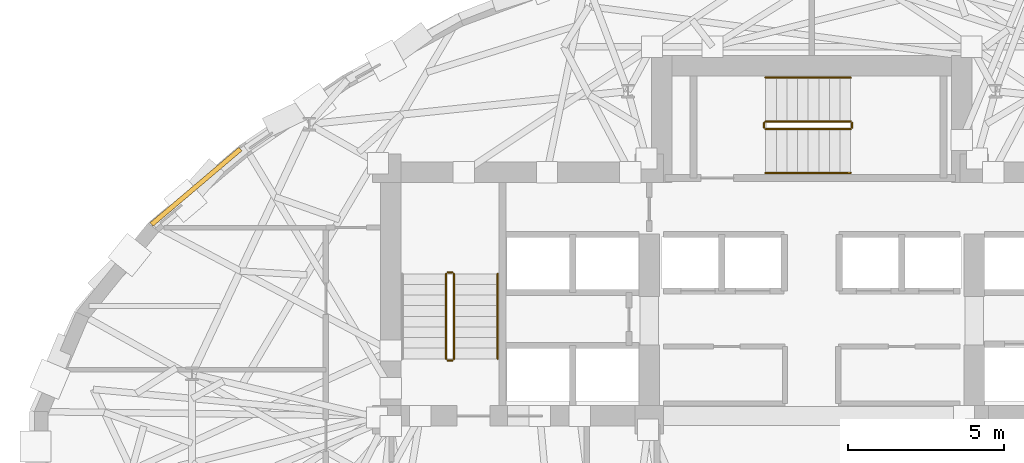
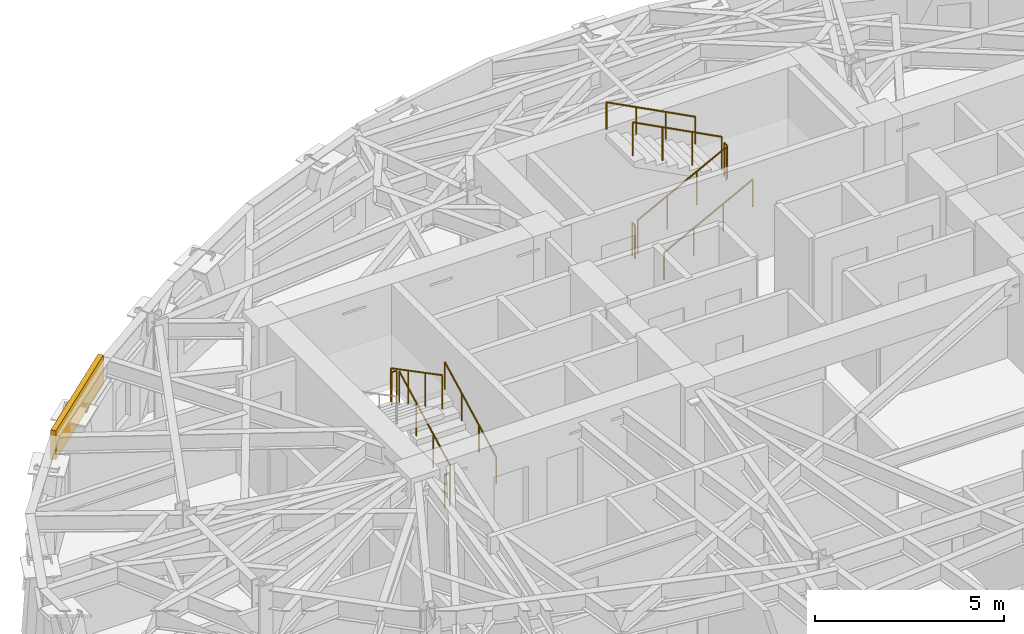
# One storey, part 12 of 14: 11 railings, 1 covering.
"""IFC4 building model written with IfcOpenShell, lengths in metres."""

from ifc_helpers import new_model, si_unit, direction, frame, origin, origin_2d, place, context, subcontext, project, spatial, rectangle, circle, extrude, material, layer, layer_set, type_object, element, save


model = new_model("IFC4")

# Units and contexts
model_context = context("Model", 3, precision=1e-05, world=origin(), true_north=direction((0.0, 1.0)))
body_context = subcontext(model_context, "Body", "Model", "MODEL_VIEW")
ifc_project = project(units=[si_unit("LENGTHUNIT", "METRE"), si_unit("AREAUNIT", "SQUARE_METRE"), si_unit("VOLUMEUNIT", "CUBIC_METRE"), si_unit("PLANEANGLEUNIT", "RADIAN"), si_unit("MASSUNIT", "GRAM", prefix="KILO")], contexts=[model_context])

# Site, building, storey
site_placement = place(None, origin())
site = spatial("IfcSite", under=ifc_project, at=site_placement, CompositionType="ELEMENT")
building_placement = place(site_placement, origin())
building = spatial("IfcBuilding", under=site, at=building_placement, Name="Keldmark Tower", CompositionType="ELEMENT")
storey_placement = place(building_placement, frame((0.0, 0.0, 179.0)))
storey = spatial("IfcBuildingStorey", under=building, at=storey_placement, Name="L49", CompositionType="ELEMENT", Elevation=179.0)

# Covering
ifc_material_1 = material(Name="Honed Kasota Buff Dolomitic Limestone", Category="masonry")
ifc_layer = layer(ifc_material_1, 0.074951171875)
ifc_layer_set = layer_set([ifc_layer], Name="Honed Kasota Buff Dolomitic Limestone")
covering_type = type_object("IfcCoveringType", Name="Kasota Buff Limestone Spandrel Cladding Band", PredefinedType="CLADDING", material=ifc_layer_set)
covering_placement = place(storey_placement, frame((-19.70361328125, 8.857421875, 2.239013671875), z_axis=(0.0, 0.0, 1.0), x_axis=(-0.762510266373, -0.646976115229, 0.0)))
element("IfcCovering", 1, at=covering_placement, inside=storey, type_object=covering_type, Name="L49 Kasota Limestone Spandrel Band 13", PredefinedType="CLADDING", context=body_context, shape_type="SweptSolid", body=[
    extrude(rectangle(XDim=3.726806640625, YDim=0.14990234375, at=origin_2d()), origin(), (0.0, 0.0, 1.0), 0.94091796875),
])

# Railings
ifc_material_2 = material(Name="Painted Steel ASTM A500 Grade B", Category="steel")
railing_type_1 = type_object("IfcRailingType", Name="Painted Steel Stair Well Guard 1100 mm", PredefinedType="GUARDRAIL", material=ifc_material_2)
railing_1_placement = place(storey_placement, frame((-11.449951171875, 3.35009765625, 0.177734375)))
element("IfcRailing", 2, at=railing_1_placement, inside=storey, type_object=railing_type_1, Name="L49 ST1 stair guard 1", PredefinedType="GUARDRAIL", context=body_context, shape_type="SweptSolid", body=[
    extrude(circle(Radius=0.02392578125, at=origin_2d()), frame((0.0, 0.0, 1.076171875), z_axis=(0.0, 0.886150474775, 0.463397600399), x_axis=(-1.0, 0.0, 0.0)), (0.0, 0.0, 1.0), 3.0693359375),
    extrude(circle(Radius=0.02099609375, at=origin_2d()), origin(), (0.0, 0.0, 1.0), 1.052001953125),
    extrude(circle(Radius=0.02099609375, at=origin_2d()), frame((0.0, 0.90673828125, 0.47412109375)), (0.0, 0.0, 1.0), 1.052001953125),
    extrude(circle(Radius=0.02099609375, at=origin_2d()), frame((0.0, 1.813232421875, 0.9482421875)), (0.0, 0.0, 1.0), 1.052001953125),
    extrude(circle(Radius=0.02099609375, at=origin_2d()), frame((0.0, 2.719970703125, 1.42236328125)), (0.0, 0.0, 1.0), 1.052001953125),
])
railing_2_placement = place(storey_placement, frame((-11.5, 6.1201171875, 1.60009765625)))
element("IfcRailing", 3, at=railing_2_placement, inside=storey, type_object=railing_type_1, Name="L49 ST1 stair guard 2", PredefinedType="GUARDRAIL", context=body_context, shape_type="SweptSolid", body=[
    extrude(circle(Radius=0.02392578125, at=origin_2d()), frame((0.0, 0.0, 1.076171875), z_axis=(-1.0, 0.0, 0.0), x_axis=(0.0, -1.0, 0.0)), (0.0, 0.0, 1.0), 0.14990234375),
    extrude(circle(Radius=0.02099609375, at=origin_2d()), origin(), (0.0, 0.0, 1.0), 1.052001953125),
    extrude(circle(Radius=0.02099609375, at=origin_2d()), frame((-0.14990234375, 0.0, 0.0)), (0.0, 0.0, 1.0), 1.052001953125),
])
railing_3_placement = place(storey_placement, frame((-11.699951171875, 6.070068359375, 1.77783203125)))
element("IfcRailing", 4, at=railing_3_placement, inside=storey, type_object=railing_type_1, Name="L49 ST1 stair guard 3", PredefinedType="GUARDRAIL", context=body_context, shape_type="SweptSolid", body=[
    extrude(circle(Radius=0.02392578125, at=origin_2d()), frame((0.0, 0.0, 1.076171875), z_axis=(0.0, -0.886183135912, 0.463335137482), x_axis=(1.0, 0.0, 0.0)), (0.0, 0.0, 1.0), 3.0693359375),
    extrude(circle(Radius=0.02099609375, at=origin_2d()), origin(), (0.0, 0.0, 1.0), 1.052001953125),
    extrude(circle(Radius=0.02099609375, at=origin_2d()), frame((0.0, -0.90673828125, 0.47412109375)), (0.0, 0.0, 1.0), 1.052001953125),
    extrude(circle(Radius=0.02099609375, at=origin_2d()), frame((0.0, -1.813232421875, 0.947998046875)), (0.0, 0.0, 1.0), 1.052001953125),
    extrude(circle(Radius=0.02099609375, at=origin_2d()), frame((0.0, -2.719970703125, 1.422119140625)), (0.0, 0.0, 1.0), 1.052001953125),
])
railing_4_placement = place(storey_placement, frame((-11.5, 3.300048828125, 0.0)))
element("IfcRailing", 5, at=railing_4_placement, inside=storey, type_object=railing_type_1, Name="L49 ST1 stair guard 4", PredefinedType="GUARDRAIL", context=body_context, shape_type="SweptSolid", body=[
    extrude(circle(Radius=0.02392578125, at=origin_2d()), frame((0.0, 0.0, 1.076171875), z_axis=(-1.0, 0.0, 0.0), x_axis=(0.0, -1.0, 0.0)), (0.0, 0.0, 1.0), 0.14990234375),
    extrude(circle(Radius=0.02099609375, at=origin_2d()), origin(), (0.0, 0.0, 1.0), 1.052001953125),
    extrude(circle(Radius=0.02099609375, at=origin_2d()), frame((-0.14990234375, 0.0, 0.0)), (0.0, 0.0, 1.0), 1.052001953125),
])
railing_5_placement = place(storey_placement, frame((-1.47509765625, 10.699951171875, 0.177734375)))
element("IfcRailing", 6, at=railing_5_placement, inside=storey, type_object=railing_type_1, Name="L49 ST3 stair guard 1", PredefinedType="GUARDRAIL", context=body_context, shape_type="SweptSolid", body=[
    extrude(circle(Radius=0.02392578125, at=origin_2d()), frame((0.0, 0.0, 1.076171875), z_axis=(0.886167553088, 0.0, 0.463364940252), x_axis=(0.0, 1.0, 0.0)), (0.0, 0.0, 1.0), 3.069580078125),
    extrude(circle(Radius=0.02099609375, at=origin_2d()), origin(), (0.0, 0.0, 1.0), 1.052001953125),
    extrude(circle(Radius=0.02099609375, at=origin_2d()), frame((0.90673828125, 0.0, 0.47412109375)), (0.0, 0.0, 1.0), 1.052001953125),
    extrude(circle(Radius=0.02099609375, at=origin_2d()), frame((1.8134765625, 0.0, 0.9482421875)), (0.0, 0.0, 1.0), 1.052001953125),
    extrude(circle(Radius=0.02099609375, at=origin_2d()), frame((2.72021484375, 0.0, 1.42236328125)), (0.0, 0.0, 1.0), 1.052001953125),
])
railing_6_placement = place(storey_placement, frame((1.294921875, 10.75, 1.60009765625)))
element("IfcRailing", 7, at=railing_6_placement, inside=storey, type_object=railing_type_1, Name="L49 ST3 stair guard 2", PredefinedType="GUARDRAIL", context=body_context, shape_type="SweptSolid", body=[
    extrude(circle(Radius=0.02392578125, at=origin_2d()), frame((0.0, 0.0, 1.076171875), z_axis=(0.0, 1.0, 0.0), x_axis=(-1.0, 0.0, 0.0)), (0.0, 0.0, 1.0), 0.14990234375),
    extrude(circle(Radius=0.02099609375, at=origin_2d()), origin(), (0.0, 0.0, 1.0), 1.052001953125),
    extrude(circle(Radius=0.02099609375, at=origin_2d()), frame((0.0, 0.14990234375, 0.0)), (0.0, 0.0, 1.0), 1.052001953125),
])
railing_7_placement = place(storey_placement, frame((1.2451171875, 10.949951171875, 1.77783203125)))
element("IfcRailing", 8, at=railing_7_placement, inside=storey, type_object=railing_type_1, Name="L49 ST3 stair guard 3", PredefinedType="GUARDRAIL", context=body_context, shape_type="SweptSolid", body=[
    extrude(circle(Radius=0.02392578125, at=origin_2d()), frame((0.0, 0.0, 1.076171875), z_axis=(-0.886200210249, 0.0, 0.463302479331), x_axis=(0.0, -1.0, 0.0)), (0.0, 0.0, 1.0), 3.069580078125),
    extrude(circle(Radius=0.02099609375, at=origin_2d()), origin(), (0.0, 0.0, 1.0), 1.052001953125),
    extrude(circle(Radius=0.02099609375, at=origin_2d()), frame((-0.90673828125, 0.0, 0.47412109375)), (0.0, 0.0, 1.0), 1.052001953125),
    extrude(circle(Radius=0.02099609375, at=origin_2d()), frame((-1.8134765625, 0.0, 0.947998046875)), (0.0, 0.0, 1.0), 1.052001953125),
    extrude(circle(Radius=0.02099609375, at=origin_2d()), frame((-2.72021484375, 0.0, 1.422119140625)), (0.0, 0.0, 1.0), 1.052001953125),
])
railing_8_placement = place(storey_placement, frame((-1.52490234375, 10.75, 0.0)))
element("IfcRailing", 9, at=railing_8_placement, inside=storey, type_object=railing_type_1, Name="L49 ST3 stair guard 4", PredefinedType="GUARDRAIL", context=body_context, shape_type="SweptSolid", body=[
    extrude(circle(Radius=0.02392578125, at=origin_2d()), frame((0.0, 0.0, 1.076171875), z_axis=(0.0, 1.0, 0.0), x_axis=(-1.0, 0.0, 0.0)), (0.0, 0.0, 1.0), 0.14990234375),
    extrude(circle(Radius=0.02099609375, at=origin_2d()), origin(), (0.0, 0.0, 1.0), 1.052001953125),
    extrude(circle(Radius=0.02099609375, at=origin_2d()), frame((0.0, 0.14990234375, 0.0)), (0.0, 0.0, 1.0), 1.052001953125),
])
ifc_material_3 = material(Name="Stainless Steel AISI 316L", Category="steel")
railing_type_2 = type_object("IfcRailingType", Name="Stainless Steel Stair Handrail 900 mm", PredefinedType="HANDRAIL", material=ifc_material_3)
railing_9_placement = place(storey_placement, frame((-10.050048828125, 3.35009765625, 0.177734375)))
element("IfcRailing", 10, at=railing_9_placement, inside=storey, type_object=railing_type_2, Name="L49 ST1 stair handrail 1", PredefinedType="HANDRAIL", context=body_context, shape_type="SweptSolid", body=[
    extrude(circle(Radius=0.02392578125, at=origin_2d()), frame((0.0, 0.0, 0.8759765625), z_axis=(0.0, 0.886150474775, 0.463397600399), x_axis=(-1.0, 0.0, 0.0)), (0.0, 0.0, 1.0), 3.0693359375),
    extrude(circle(Radius=0.02099609375, at=origin_2d()), origin(), (0.0, 0.0, 1.0), 0.851806640625),
    extrude(circle(Radius=0.02099609375, at=origin_2d()), frame((0.0, 0.90673828125, 0.47412109375)), (0.0, 0.0, 1.0), 0.851806640625),
    extrude(circle(Radius=0.02099609375, at=origin_2d()), frame((0.0, 1.813232421875, 0.9482421875)), (0.0, 0.0, 1.0), 0.851806640625),
    extrude(circle(Radius=0.02099609375, at=origin_2d()), frame((0.0, 2.719970703125, 1.42236328125)), (0.0, 0.0, 1.0), 0.851806640625),
])
railing_10_placement = place(storey_placement, frame((-1.47509765625, 9.300048828125, 0.177734375)))
element("IfcRailing", 11, at=railing_10_placement, inside=storey, type_object=railing_type_2, Name="L49 ST3 stair handrail 1", PredefinedType="HANDRAIL", context=body_context, shape_type="SweptSolid", body=[
    extrude(circle(Radius=0.02392578125, at=origin_2d()), frame((0.0, 0.0, 0.8759765625), z_axis=(0.886167553088, 0.0, 0.463364940252), x_axis=(0.0, 1.0, 0.0)), (0.0, 0.0, 1.0), 3.069580078125),
    extrude(circle(Radius=0.02099609375, at=origin_2d()), origin(), (0.0, 0.0, 1.0), 0.851806640625),
    extrude(circle(Radius=0.02099609375, at=origin_2d()), frame((0.90673828125, 0.0, 0.47412109375)), (0.0, 0.0, 1.0), 0.851806640625),
    extrude(circle(Radius=0.02099609375, at=origin_2d()), frame((1.8134765625, 0.0, 0.9482421875)), (0.0, 0.0, 1.0), 0.851806640625),
    extrude(circle(Radius=0.02099609375, at=origin_2d()), frame((2.72021484375, 0.0, 1.42236328125)), (0.0, 0.0, 1.0), 0.851806640625),
])
railing_11_placement = place(storey_placement, frame((1.2451171875, 12.35009765625, 1.77783203125)))
element("IfcRailing", 12, at=railing_11_placement, inside=storey, type_object=railing_type_2, Name="L49 ST3 stair handrail 2", PredefinedType="HANDRAIL", context=body_context, shape_type="SweptSolid", body=[
    extrude(circle(Radius=0.02392578125, at=origin_2d()), frame((0.0, 0.0, 0.8759765625), z_axis=(-0.886200210249, 0.0, 0.463302479331), x_axis=(0.0, -1.0, 0.0)), (0.0, 0.0, 1.0), 3.069580078125),
    extrude(circle(Radius=0.02099609375, at=origin_2d()), origin(), (0.0, 0.0, 1.0), 0.851806640625),
    extrude(circle(Radius=0.02099609375, at=origin_2d()), frame((-0.90673828125, 0.0, 0.47412109375)), (0.0, 0.0, 1.0), 0.851806640625),
    extrude(circle(Radius=0.02099609375, at=origin_2d()), frame((-1.8134765625, 0.0, 0.947998046875)), (0.0, 0.0, 1.0), 0.851806640625),
    extrude(circle(Radius=0.02099609375, at=origin_2d()), frame((-2.72021484375, 0.0, 1.422119140625)), (0.0, 0.0, 1.0), 0.851806640625),
])

save(model, "model.ifc")
